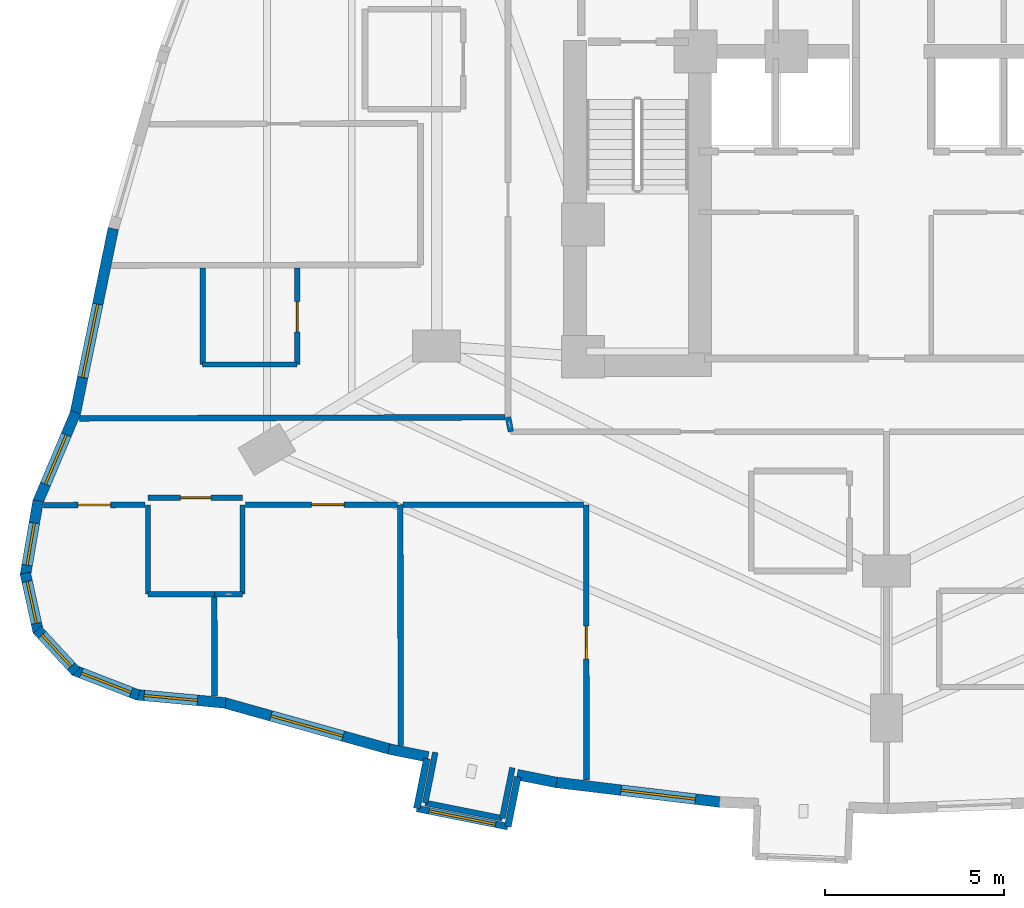
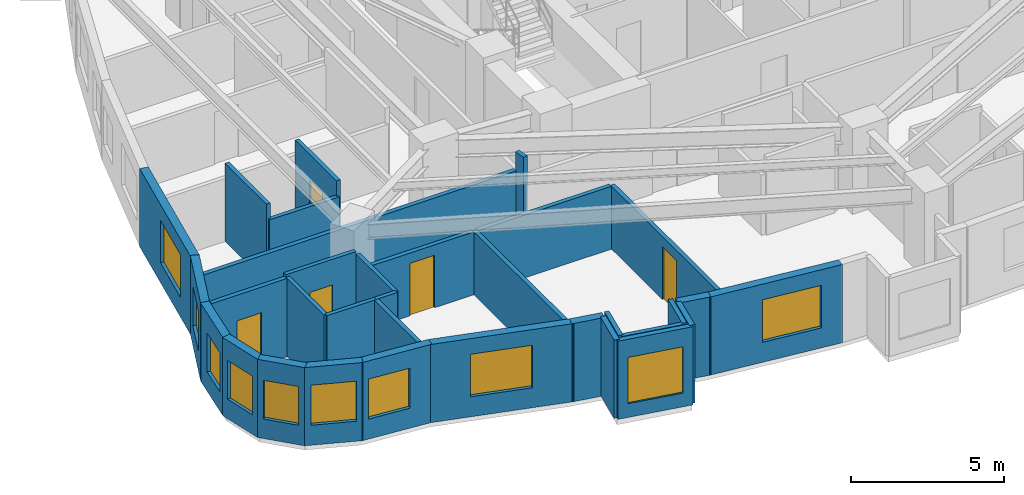
# One storey, part 7 of 14: 33 walls, 10 windows, 5 doors, 15 openings.
"""IFC4 building model written with IfcOpenShell, lengths in metres."""

from ifc_helpers import new_model, si_unit, direction, frame, frame_2d, origin, place, context, subcontext, project, spatial, rectangle, extrude, material, layer, layer_set, type_object, element, fill, save


model = new_model("IFC4")

# Units and contexts
model_context = context("Model", 3, precision=1e-05, world=origin(), true_north=direction((0.0, 1.0)))
body_context = subcontext(model_context, "Body", "Model", "MODEL_VIEW")
ifc_project = project(units=[si_unit("LENGTHUNIT", "METRE"), si_unit("AREAUNIT", "SQUARE_METRE"), si_unit("VOLUMEUNIT", "CUBIC_METRE"), si_unit("PLANEANGLEUNIT", "RADIAN"), si_unit("MASSUNIT", "GRAM", prefix="KILO")], contexts=[model_context])

# Site, building, storey
site_placement = place(None, origin())
site = spatial("IfcSite", under=ifc_project, at=site_placement, CompositionType="ELEMENT")
building_placement = place(site_placement, origin())
building = spatial("IfcBuilding", under=site, at=building_placement, Name="Miruveldt Soraemaru", CompositionType="ELEMENT")
storey_placement = place(building_placement, frame((0.0, 0.0, 80.199951171875)))
storey = spatial("IfcBuildingStorey", under=building, at=storey_placement, Name="L22", CompositionType="ELEMENT", Elevation=80.199951171875)

# Walls
ifc_material_1 = material(Name="White powder-coated aluminium EN AW-6060 T6", Category="aluminium")
ifc_layer_1 = layer(ifc_material_1, 0.18994140625, Name="White powder-coated aluminium EN AW-6060 T6", Category="aluminium")
ifc_layer_set_1 = layer_set([ifc_layer_1], Name="White powder-coated aluminium EN AW-6060 T6")
wall_type_1 = type_object("IfcWallType", Name="WALL-BAY-ALU190", PredefinedType="SOLIDWALL", material=ifc_layer_set_1)
for number, where, z_axis, x_axis, name in (
    (1, (31.123779296875, 24.244384765625, 0.0), (0.0, 0.0, 1.0), (-0.196182033934, -0.980567493629, 0.0), "L22 Bay Window Side Cheek 1L"),
    (2, (33.393798828125, 22.33740234375, 0.0), (0.0, 0.0, 1.0), (0.196017281962, 0.980600441144, 0.0), "L22 Bay Window Side Cheek 1R"),
):
    element("IfcWall", number, at=place(storey_placement, frame(where, z_axis=z_axis, x_axis=x_axis)), inside=storey, type_object=wall_type_1, Name=name, PredefinedType="SOLIDWALL", context=body_context, shape_type="SweptSolid", body=[
        extrude(rectangle(XDim=1.4248046875, YDim=0.18994140625, at=frame_2d((0.71240234375, 0.0))), origin(), (0.0, 0.0, 1.0), 3.125),
    ])

# Wall, opening, window
wall_1_placement = place(storey_placement, frame((30.84423828125, 22.84716796875, 0.0), z_axis=(0.0, 0.0, 1.0), x_axis=(0.980591508741, -0.196061962104, 0.0)))
wall_1 = element("IfcWall", 3, at=wall_1_placement, inside=storey, type_object=wall_type_1, Name="L22 Bay Window Front Frame 1", PredefinedType="SOLIDWALL", context=body_context, shape_type="SweptSolid", body=[
    extrude(rectangle(XDim=2.60009765625, YDim=0.18994140625, at=frame_2d((1.300048828125, 0.0))), origin(), (0.0, 0.0, 1.0), 3.125),
])
opening_1_placement = place(wall_1_placement, frame((0.35009765625, 0.0, 0.550048828125)))
opening_1 = element("IfcOpeningElement", 4, at=opening_1_placement, cuts=wall_1, Name="Opening WN-6", PredefinedType="OPENING", context=body_context, shape_type="SweptSolid", body=[
    extrude(rectangle(XDim=1.89990234375, YDim=1.85009765625, at=frame_2d((0.949951171875, 0.925048828125))), frame((0.0, 0.10498046875, 0.0), z_axis=(0.0, -1.0, 0.0), x_axis=(1.0, 0.0, 0.0)), (0.0, 0.0, 1.0), 0.2099609375),
])
ifc_material_2 = material(Name="Triple low-e insulated glazing", Category="glass")
window_type_1 = type_object("IfcWindowType", Name="WIN-BAYW-1900x1850", PartitioningType="SINGLE_PANEL", PredefinedType="WINDOW", material=ifc_material_2)
window_1_placement = place(opening_1_placement, origin())
window_1 = element("IfcWindow", 5, at=window_1_placement, inside=storey, type_object=window_type_1, Name="L22 Projecting Bay Window 1", OverallHeight=1.85009765625, OverallWidth=1.89990234375, PartitioningType="SINGLE_PANEL", PredefinedType="WINDOW", context=body_context, shape_type="SweptSolid", body=[
    extrude(rectangle(XDim=1.89990234375, YDim=1.85009765625, at=frame_2d((0.949951171875, 0.925048828125))), frame((0.0, 0.030029296875, 0.0), z_axis=(0.0, -1.0, 0.0), x_axis=(1.0, 0.0, 0.0)), (0.0, 0.0, 1.0), 0.06005859375),
])
fill(opening_1, window_1)

ifc_material_3 = material(Name="Precast concrete C45/55 (45 MPa)", Category="concrete")
ifc_layer_2 = layer(ifc_material_3, 0.300048828125, Name="Precast concrete C45/55 (45 MPa)", Category="concrete")
ifc_layer_set_2 = layer_set([ifc_layer_2], Name="Precast concrete C45/55 (45 MPa)")
wall_type_2 = type_object("IfcWallType", Name="WALL-EXT-PC300", PredefinedType="SOLIDWALL", material=ifc_layer_set_2)
wall_2_placement = place(storey_placement, frame((22.34326171875, 39.08984375, 0.0), z_axis=(0.0, 0.0, 1.0), x_axis=(-0.20158951894, -0.979470094415, 0.0)))
wall_2 = element("IfcWall", 6, at=wall_2_placement, inside=storey, type_object=wall_type_2, Name="L22 Precast Concrete Facade Wall 14", PredefinedType="SOLIDWALL", context=body_context, shape_type="SweptSolid", body=[
    extrude(rectangle(XDim=5.323974609375, YDim=0.300048828125, at=frame_2d((2.662109375, 0.0))), origin(), (0.0, 0.0, 1.0), 3.125),
])
opening_2_placement = place(wall_2_placement, frame((2.159912109375, 0.0, 0.800048828125)))
opening_2 = element("IfcOpeningElement", 7, at=opening_2_placement, cuts=wall_2, Name="Opening WN-1", PredefinedType="OPENING", context=body_context, shape_type="SweptSolid", body=[
    extrude(rectangle(XDim=2.10009765625, YDim=1.699951171875, at=frame_2d((1.050048828125, 0.85009765625))), frame((0.0, 0.16015625, 0.0), z_axis=(0.0, -1.0, 0.0), x_axis=(1.0, 0.0, 0.0)), (0.0, 0.0, 1.0), 0.320068359375),
])
window_type_2 = type_object("IfcWindowType", Name="WIN-PUNCH-2100x1700", PartitioningType="SINGLE_PANEL", PredefinedType="WINDOW", material=ifc_material_2)
window_2_placement = place(opening_2_placement, origin())
window_2 = element("IfcWindow", 8, at=window_2_placement, inside=storey, type_object=window_type_2, Name="L22 Punched Triple-Glazed Window 14.1", OverallHeight=1.699951171875, OverallWidth=2.10009765625, PartitioningType="SINGLE_PANEL", PredefinedType="WINDOW", context=body_context, shape_type="SweptSolid", body=[
    extrude(rectangle(XDim=2.10009765625, YDim=1.699951171875, at=frame_2d((1.050048828125, 0.85009765625))), frame((0.0, 0.030029296875, 0.0), z_axis=(0.0, -1.0, 0.0), x_axis=(1.0, 0.0, 0.0)), (0.0, 0.0, 1.0), 0.06005859375),
])
fill(opening_2, window_2)

wall_3_placement = place(storey_placement, frame((21.290771484375, 33.941650390625, 0.0), z_axis=(0.0, 0.0, 1.0), x_axis=(-0.38859128496, -0.921410230708, 0.0)))
wall_3 = element("IfcWall", 9, at=wall_3_placement, inside=storey, type_object=wall_type_2, Name="L22 Precast Concrete Facade Wall 15", PredefinedType="SOLIDWALL", context=body_context, shape_type="SweptSolid", body=[
    extrude(rectangle(XDim=2.757568359375, YDim=0.300048828125, at=frame_2d((1.37890625, 0.0))), origin(), (0.0, 0.0, 1.0), 3.125),
])
opening_3_placement = place(wall_3_placement, frame((0.68310546875, 0.0, 0.800048828125)))
opening_3 = element("IfcOpeningElement", 10, at=opening_3_placement, cuts=wall_3, Name="Opening WN-3", PredefinedType="OPENING", context=body_context, shape_type="SweptSolid", body=[
    extrude(rectangle(XDim=1.5, YDim=1.60009765625, at=frame_2d((0.75, 0.800048828125))), frame((0.0, 0.16015625, 0.0), z_axis=(0.0, -1.0, 0.0), x_axis=(1.0, 0.0, 0.0)), (0.0, 0.0, 1.0), 0.320068359375),
])
window_type_3 = type_object("IfcWindowType", Name="WIN-PUNCH-1500x1600", PartitioningType="SINGLE_PANEL", PredefinedType="WINDOW", material=ifc_material_2)
window_3_placement = place(opening_3_placement, origin())
window_3 = element("IfcWindow", 11, at=window_3_placement, inside=storey, type_object=window_type_3, Name="L22 Punched Triple-Glazed Window 15.1", OverallHeight=1.60009765625, OverallWidth=1.5, PartitioningType="SINGLE_PANEL", PredefinedType="WINDOW", context=body_context, shape_type="SweptSolid", body=[
    extrude(rectangle(XDim=1.5, YDim=1.60009765625, at=frame_2d((0.75, 0.800048828125))), frame((0.0, 0.030029296875, 0.0), z_axis=(0.0, -1.0, 0.0), x_axis=(1.0, 0.0, 0.0)), (0.0, 0.0, 1.0), 0.06005859375),
])
fill(opening_3, window_3)

wall_4_placement = place(storey_placement, frame((20.23876953125, 31.4677734375, 0.0), z_axis=(0.0, 0.0, 1.0), x_axis=(-0.169387729848, -0.985549489867, 0.0)))
wall_4 = element("IfcWall", 12, at=wall_4_placement, inside=storey, type_object=wall_type_2, Name="L22 Precast Concrete Facade Wall 16", PredefinedType="SOLIDWALL", context=body_context, shape_type="SweptSolid", body=[
    extrude(rectangle(XDim=2.1259765625, YDim=0.300048828125, at=frame_2d((1.06298828125, 0.0))), origin(), (0.0, 0.0, 1.0), 3.125),
])
opening_4_placement = place(wall_4_placement, frame((0.634033203125, 0.0, 0.780029296875)))
opening_4 = element("IfcOpeningElement", 13, at=opening_4_placement, cuts=wall_4, Name="Opening WN-4", PredefinedType="OPENING", context=body_context, shape_type="SweptSolid", body=[
    extrude(rectangle(XDim=1.199951171875, YDim=1.550048828125, at=frame_2d((0.60009765625, 0.77490234375))), frame((0.0, 0.16015625, 0.0), z_axis=(0.0, -1.0, 0.0), x_axis=(1.0, 0.0, 0.0)), (0.0, 0.0, 1.0), 0.320068359375),
])
window_type_4 = type_object("IfcWindowType", Name="WIN-PUNCH-1200x1550", PartitioningType="SINGLE_PANEL", PredefinedType="WINDOW", material=ifc_material_2)
window_4_placement = place(opening_4_placement, origin())
window_4 = element("IfcWindow", 14, at=window_4_placement, inside=storey, type_object=window_type_4, Name="L22 Punched Triple-Glazed Window 16.1", OverallHeight=1.550048828125, OverallWidth=1.199951171875, PartitioningType="SINGLE_PANEL", PredefinedType="WINDOW", context=body_context, shape_type="SweptSolid", body=[
    extrude(rectangle(XDim=1.199951171875, YDim=1.550048828125, at=frame_2d((0.60009765625, 0.77490234375))), frame((0.0, 0.030029296875, 0.0), z_axis=(0.0, -1.0, 0.0), x_axis=(1.0, 0.0, 0.0)), (0.0, 0.0, 1.0), 0.06005859375),
])
fill(opening_4, window_4)

wall_5_placement = place(storey_placement, frame((19.876953125, 29.44140625, 0.0), z_axis=(0.0, 0.0, 1.0), x_axis=(0.215871143304, -0.976421860411, 0.0)))
wall_5 = element("IfcWall", 15, at=wall_5_placement, inside=storey, type_object=wall_type_2, Name="L22 Precast Concrete Facade Wall 17", PredefinedType="SOLIDWALL", context=body_context, shape_type="SweptSolid", body=[
    extrude(rectangle(XDim=1.68408203125, YDim=0.300048828125, at=frame_2d((0.842041015625, 0.0))), origin(), (0.0, 0.0, 1.0), 3.125),
])
opening_5_placement = place(wall_5_placement, frame((0.241943359375, 0.0, 0.780029296875)))
opening_5 = element("IfcOpeningElement", 16, at=opening_5_placement, cuts=wall_5, Name="Opening WN-4", PredefinedType="OPENING", context=body_context, shape_type="SweptSolid", body=[
    extrude(rectangle(XDim=1.199951171875, YDim=1.550048828125, at=frame_2d((0.60009765625, 0.77490234375))), frame((0.0, 0.16015625, 0.0), z_axis=(0.0, -1.0, 0.0), x_axis=(1.0, 0.0, 0.0)), (0.0, 0.0, 1.0), 0.320068359375),
])
window_5_placement = place(opening_5_placement, origin())
window_5 = element("IfcWindow", 17, at=window_5_placement, inside=storey, type_object=window_type_4, Name="L22 Punched Triple-Glazed Window 17.1", OverallHeight=1.550048828125, OverallWidth=1.199951171875, PartitioningType="SINGLE_PANEL", PredefinedType="WINDOW", context=body_context, shape_type="SweptSolid", body=[
    extrude(rectangle(XDim=1.199951171875, YDim=1.550048828125, at=frame_2d((0.60009765625, 0.77490234375))), frame((0.0, 0.030029296875, 0.0), z_axis=(0.0, -1.0, 0.0), x_axis=(1.0, 0.0, 0.0)), (0.0, 0.0, 1.0), 0.06005859375),
])
fill(opening_5, window_5)

wall_6_placement = place(storey_placement, frame((20.208984375, 27.85693359375, 0.0), z_axis=(0.0, 0.0, 1.0), x_axis=(0.680153593671, -0.733069634493, 0.0)))
wall_6 = element("IfcWall", 18, at=wall_6_placement, inside=storey, type_object=wall_type_2, Name="L22 Precast Concrete Facade Wall 18", PredefinedType="SOLIDWALL", context=body_context, shape_type="SweptSolid", body=[
    extrude(rectangle(XDim=1.60546875, YDim=0.300048828125, at=frame_2d((0.802734375, 0.0))), origin(), (0.0, 0.0, 1.0), 3.125),
])
opening_6_placement = place(wall_6_placement, frame((0.202880859375, 0.0, 0.780029296875)))
opening_6 = element("IfcOpeningElement", 19, at=opening_6_placement, cuts=wall_6, Name="Opening WN-4", PredefinedType="OPENING", context=body_context, shape_type="SweptSolid", body=[
    extrude(rectangle(XDim=1.199951171875, YDim=1.550048828125, at=frame_2d((0.60009765625, 0.77490234375))), frame((0.0, 0.16015625, 0.0), z_axis=(0.0, -1.0, 0.0), x_axis=(1.0, 0.0, 0.0)), (0.0, 0.0, 1.0), 0.320068359375),
])
window_6_placement = place(opening_6_placement, origin())
window_6 = element("IfcWindow", 20, at=window_6_placement, inside=storey, type_object=window_type_4, Name="L22 Punched Triple-Glazed Window 18.1", OverallHeight=1.550048828125, OverallWidth=1.199951171875, PartitioningType="SINGLE_PANEL", PredefinedType="WINDOW", context=body_context, shape_type="SweptSolid", body=[
    extrude(rectangle(XDim=1.199951171875, YDim=1.550048828125, at=frame_2d((0.60009765625, 0.77490234375))), frame((0.0, 0.030029296875, 0.0), z_axis=(0.0, -1.0, 0.0), x_axis=(1.0, 0.0, 0.0)), (0.0, 0.0, 1.0), 0.06005859375),
])
fill(opening_6, window_6)

wall_7_placement = place(storey_placement, frame((21.24462890625, 26.718505859375, 0.0), z_axis=(0.0, 0.0, 1.0), x_axis=(0.932226848531, -0.36187442971, 0.0)))
wall_7 = element("IfcWall", 21, at=wall_7_placement, inside=storey, type_object=wall_type_2, Name="L22 Precast Concrete Facade Wall 19", PredefinedType="SOLIDWALL", context=body_context, shape_type="SweptSolid", body=[
    extrude(rectangle(XDim=1.93701171875, YDim=0.300048828125, at=frame_2d((0.968505859375, 0.0))), origin(), (0.0, 0.0, 1.0), 3.125),
])
opening_7_placement = place(wall_7_placement, frame((0.218017578125, 0.0, 0.800048828125)))
opening_7 = element("IfcOpeningElement", 22, at=opening_7_placement, cuts=wall_7, Name="Opening WN-3", PredefinedType="OPENING", context=body_context, shape_type="SweptSolid", body=[
    extrude(rectangle(XDim=1.5, YDim=1.60009765625, at=frame_2d((0.75, 0.800048828125))), frame((0.0, 0.16015625, 0.0), z_axis=(0.0, -1.0, 0.0), x_axis=(1.0, 0.0, 0.0)), (0.0, 0.0, 1.0), 0.320068359375),
])
window_7_placement = place(opening_7_placement, origin())
window_7 = element("IfcWindow", 23, at=window_7_placement, inside=storey, type_object=window_type_3, Name="L22 Punched Triple-Glazed Window 19.1", OverallHeight=1.60009765625, OverallWidth=1.5, PartitioningType="SINGLE_PANEL", PredefinedType="WINDOW", context=body_context, shape_type="SweptSolid", body=[
    extrude(rectangle(XDim=1.5, YDim=1.60009765625, at=frame_2d((0.75, 0.800048828125))), frame((0.0, 0.030029296875, 0.0), z_axis=(0.0, -1.0, 0.0), x_axis=(1.0, 0.0, 0.0)), (0.0, 0.0, 1.0), 0.06005859375),
])
fill(opening_7, window_7)

wall_8_placement = place(storey_placement, frame((22.98291015625, 26.03369140625, 0.0), z_axis=(0.0, 0.0, 1.0), x_axis=(0.995756157786, -0.092030833048, 0.0)))
wall_8 = element("IfcWall", 24, at=wall_8_placement, inside=storey, type_object=wall_type_2, Name="L22 Precast Concrete Facade Wall 20", PredefinedType="SOLIDWALL", context=body_context, shape_type="SweptSolid", body=[
    extrude(rectangle(XDim=2.517578125, YDim=0.300048828125, at=frame_2d((1.2587890625, 0.0))), origin(), (0.0, 0.0, 1.0), 3.125),
])
opening_8_placement = place(wall_8_placement, frame((0.22607421875, 0.0, 0.800048828125)))
opening_8 = element("IfcOpeningElement", 25, at=opening_8_placement, cuts=wall_8, Name="Opening WN-3", PredefinedType="OPENING", context=body_context, shape_type="SweptSolid", body=[
    extrude(rectangle(XDim=1.5, YDim=1.60009765625, at=frame_2d((0.75, 0.800048828125))), frame((0.0, 0.16015625, 0.0), z_axis=(0.0, -1.0, 0.0), x_axis=(1.0, 0.0, 0.0)), (0.0, 0.0, 1.0), 0.320068359375),
])
window_8_placement = place(opening_8_placement, origin())
window_8 = element("IfcWindow", 26, at=window_8_placement, inside=storey, type_object=window_type_3, Name="L22 Punched Triple-Glazed Window 20.1", OverallHeight=1.60009765625, OverallWidth=1.5, PartitioningType="SINGLE_PANEL", PredefinedType="WINDOW", context=body_context, shape_type="SweptSolid", body=[
    extrude(rectangle(XDim=1.5, YDim=1.60009765625, at=frame_2d((0.75, 0.800048828125))), frame((0.0, 0.030029296875, 0.0), z_axis=(0.0, -1.0, 0.0), x_axis=(1.0, 0.0, 0.0)), (0.0, 0.0, 1.0), 0.06005859375),
])
fill(opening_8, window_8)

wall_9_placement = place(storey_placement, frame((25.421142578125, 25.814697265625, 0.0), z_axis=(0.0, 0.0, 1.0), x_axis=(0.962970248778, -0.269607677873, 0.0)))
wall_9 = element("IfcWall", 27, at=wall_9_placement, inside=storey, type_object=wall_type_2, Name="L22 Precast Concrete Facade Wall 21", PredefinedType="SOLIDWALL", context=body_context, shape_type="SweptSolid", body=[
    extrude(rectangle(XDim=4.884521484375, YDim=0.300048828125, at=frame_2d((2.4423828125, 0.0))), origin(), (0.0, 0.0, 1.0), 3.125),
])
opening_9_placement = place(wall_9_placement, frame((1.387939453125, 0.0, 0.800048828125)))
opening_9 = element("IfcOpeningElement", 28, at=opening_9_placement, cuts=wall_9, Name="Opening WN-1", PredefinedType="OPENING", context=body_context, shape_type="SweptSolid", body=[
    extrude(rectangle(XDim=2.10009765625, YDim=1.699951171875, at=frame_2d((1.050048828125, 0.85009765625))), frame((0.0, 0.16015625, 0.0), z_axis=(0.0, -1.0, 0.0), x_axis=(1.0, 0.0, 0.0)), (0.0, 0.0, 1.0), 0.320068359375),
])
window_9_placement = place(opening_9_placement, origin())
window_9 = element("IfcWindow", 29, at=window_9_placement, inside=storey, type_object=window_type_2, Name="L22 Punched Triple-Glazed Window 21.1", OverallHeight=1.699951171875, OverallWidth=2.10009765625, PartitioningType="SINGLE_PANEL", PredefinedType="WINDOW", context=body_context, shape_type="SweptSolid", body=[
    extrude(rectangle(XDim=2.10009765625, YDim=1.699951171875, at=frame_2d((1.050048828125, 0.85009765625))), frame((0.0, 0.030029296875, 0.0), z_axis=(0.0, -1.0, 0.0), x_axis=(1.0, 0.0, 0.0)), (0.0, 0.0, 1.0), 0.06005859375),
])
fill(opening_9, window_9)

# Walls
wall_10_placement = place(storey_placement, frame((30.056884765625, 24.513916015625, 0.0), z_axis=(0.0, 0.0, 1.0), x_axis=(0.980572356697, -0.196157725524, 0.0)))
element("IfcWall", 30, at=wall_10_placement, inside=storey, type_object=wall_type_2, Name="L22 Precast Pier Wall 22A", PredefinedType="SOLIDWALL", context=body_context, shape_type="SweptSolid", body=[
    extrude(rectangle(XDim=1.12890625, YDim=0.300048828125, at=frame_2d((0.564453125, 0.0))), origin(), (0.0, 0.0, 1.0), 3.125),
])
wall_11_placement = place(storey_placement, frame((33.654541015625, 23.79443359375, 0.0), z_axis=(0.0, 0.0, 1.0), x_axis=(0.980580675691, -0.196116135138, 0.0)))
element("IfcWall", 31, at=wall_11_placement, inside=storey, type_object=wall_type_2, Name="L22 Precast Pier Wall 22B", PredefinedType="SOLIDWALL", context=body_context, shape_type="SweptSolid", body=[
    extrude(rectangle(XDim=1.129150390625, YDim=0.300048828125, at=frame_2d((0.564453125, 0.0))), origin(), (0.0, 0.0, 1.0), 3.125),
])

# Wall, opening, window
wall_12_placement = place(storey_placement, frame((34.692626953125, 23.583984375, 0.0), z_axis=(0.0, 0.0, 1.0), x_axis=(0.992876838487, -0.119145220618, 0.0)))
wall_12 = element("IfcWall", 32, at=wall_12_placement, inside=storey, type_object=wall_type_2, Name="L22 Precast Concrete Facade Wall 23", PredefinedType="SOLIDWALL", context=body_context, shape_type="SweptSolid", body=[
    extrude(rectangle(XDim=4.739501953125, YDim=0.300048828125, at=frame_2d((2.36962890625, 0.0))), origin(), (0.0, 0.0, 1.0), 3.125),
])
opening_10_placement = place(wall_12_placement, frame((1.885986328125, 0.0, 0.800048828125)))
opening_10 = element("IfcOpeningElement", 33, at=opening_10_placement, cuts=wall_12, Name="Opening WN-1", PredefinedType="OPENING", context=body_context, shape_type="SweptSolid", body=[
    extrude(rectangle(XDim=2.10009765625, YDim=1.699951171875, at=frame_2d((1.050048828125, 0.85009765625))), frame((0.0, 0.16015625, 0.0), z_axis=(0.0, -1.0, 0.0), x_axis=(1.0, 0.0, 0.0)), (0.0, 0.0, 1.0), 0.320068359375),
])
window_10_placement = place(opening_10_placement, origin())
window_10 = element("IfcWindow", 34, at=window_10_placement, inside=storey, type_object=window_type_2, Name="L22 Punched Triple-Glazed Window 23.1", OverallHeight=1.699951171875, OverallWidth=2.10009765625, PartitioningType="SINGLE_PANEL", PredefinedType="WINDOW", context=body_context, shape_type="SweptSolid", body=[
    extrude(rectangle(XDim=2.10009765625, YDim=1.699951171875, at=frame_2d((1.050048828125, 0.85009765625))), frame((0.0, 0.030029296875, 0.0), z_axis=(0.0, -1.0, 0.0), x_axis=(1.0, 0.0, 0.0)), (0.0, 0.0, 1.0), 0.06005859375),
])
fill(opening_10, window_10)

# Wall, opening, door
ifc_material_4 = material(Name="Gypsum plasterboard lining", Category="gypsum")
ifc_layer_3 = layer(ifc_material_4, 0.14990234375, Name="Gypsum plasterboard lining", Category="gypsum")
ifc_layer_set_3 = layer_set([ifc_layer_3], Name="Gypsum plasterboard lining")
wall_type_3 = type_object("IfcWallType", Name="WALL-INT-PLUMB", PredefinedType="PLUMBINGWALL", material=ifc_layer_set_3)
wall_13_placement = place(storey_placement, frame((27.4951171875, 35.283935546875, 0.0), z_axis=(0.0, 0.0, 1.0), x_axis=(0.0, 1.0, 0.0)))
wall_13 = element("IfcWall", 35, at=wall_13_placement, inside=storey, type_object=wall_type_3, Name="L22 Partition Wall 68", PredefinedType="PLUMBINGWALL", context=body_context, shape_type="SweptSolid", body=[
    extrude(rectangle(XDim=2.699951171875, YDim=0.14990234375, at=frame_2d((1.35009765625, 0.0))), origin(), (0.0, 0.0, 1.0), 3.125),
])
opening_11_placement = place(wall_13_placement, frame((0.909912109375, 0.0, 0.0)))
opening_11 = element("IfcOpeningElement", 36, at=opening_11_placement, cuts=wall_13, Name="Opening FD3", PredefinedType="OPENING", context=body_context, shape_type="SweptSolid", body=[
    extrude(rectangle(XDim=0.85009765625, YDim=2.10009765625, at=frame_2d((0.425048828125, 1.050048828125))), frame((0.0, 0.0849609375, 0.0), z_axis=(0.0, -1.0, 0.0), x_axis=(1.0, 0.0, 0.0)), (0.0, 0.0, 1.0), 0.169921875),
])
ifc_material_5 = material(Name="Anodised aluminium EN AW-6063 T6", Category="aluminium")
door_type_1 = type_object("IfcDoorType", Name="DOOR-FD3-850", OperationType="NOTDEFINED", PredefinedType="DOOR", material=ifc_material_5)
door_1_placement = place(opening_11_placement, origin())
door_1 = element("IfcDoor", 37, at=door_1_placement, inside=storey, type_object=door_type_1, Name="L22 Unit 2206 BTH Door", OperationType="SINGLE_SWING_LEFT", OverallHeight=2.10009765625, OverallWidth=0.85009765625, PredefinedType="DOOR", context=body_context, shape_type="SweptSolid", body=[
    extrude(rectangle(XDim=0.85009765625, YDim=2.10009765625, at=frame_2d((0.425048828125, 1.050048828125))), frame((0.0, 0.02490234375, 0.0), z_axis=(0.0, -1.0, 0.0), x_axis=(1.0, 0.0, 0.0)), (0.0, 0.0, 1.0), 0.050048828125),
])
fill(opening_11, door_1)

wall_14_placement = place(storey_placement, frame((25.964111328125, 31.550048828125, 0.0), z_axis=(0.0, 0.0, 1.0), x_axis=(-1.0, 0.0, 0.0)))
wall_14 = element("IfcWall", 38, at=wall_14_placement, inside=storey, type_object=wall_type_3, Name="L22 Partition Wall 51", PredefinedType="PLUMBINGWALL", context=body_context, shape_type="SweptSolid", body=[
    extrude(rectangle(XDim=2.650146484375, YDim=0.14990234375, at=frame_2d((1.3251953125, 0.0))), origin(), (0.0, 0.0, 1.0), 3.125),
])
opening_12_placement = place(wall_14_placement, frame((0.885009765625, 0.0, 0.0)))
opening_12 = element("IfcOpeningElement", 39, at=opening_12_placement, cuts=wall_14, Name="Opening FD3", PredefinedType="OPENING", context=body_context, shape_type="SweptSolid", body=[
    extrude(rectangle(XDim=0.85009765625, YDim=2.10009765625, at=frame_2d((0.425048828125, 1.050048828125))), frame((0.0, 0.0849609375, 0.0), z_axis=(0.0, -1.0, 0.0), x_axis=(1.0, 0.0, 0.0)), (0.0, 0.0, 1.0), 0.169921875),
])
door_2_placement = place(opening_12_placement, origin())
door_2 = element("IfcDoor", 40, at=door_2_placement, inside=storey, type_object=door_type_1, Name="L22 Unit 2205 BTH Door", OperationType="SINGLE_SWING_LEFT", OverallHeight=2.10009765625, OverallWidth=0.85009765625, PredefinedType="DOOR", context=body_context, shape_type="SweptSolid", body=[
    extrude(rectangle(XDim=0.85009765625, YDim=2.10009765625, at=frame_2d((0.425048828125, 1.050048828125))), frame((0.0, 0.02490234375, 0.0), z_axis=(0.0, -1.0, 0.0), x_axis=(1.0, 0.0, 0.0)), (0.0, 0.0, 1.0), 0.050048828125),
])
fill(opening_12, door_2)

# Walls
wall_15_placement = place(storey_placement, frame((24.844970703125, 37.98388671875, 0.0), z_axis=(0.0, 0.0, 1.0), x_axis=(0.0, -1.0, 0.0)))
element("IfcWall", 41, at=wall_15_placement, inside=storey, type_object=wall_type_3, Name="L22 Partition Wall 69", PredefinedType="PLUMBINGWALL", context=body_context, shape_type="SweptSolid", body=[
    extrude(rectangle(XDim=2.699951171875, YDim=0.14990234375, at=frame_2d((1.35009765625, 0.0))), origin(), (0.0, 0.0, 1.0), 3.125),
])
wall_16_placement = place(storey_placement, frame((24.844970703125, 35.283935546875, 0.0), z_axis=(0.0, 0.0, 1.0), x_axis=(1.0, 0.0, 0.0)))
element("IfcWall", 42, at=wall_16_placement, inside=storey, type_object=wall_type_3, Name="L22 Partition Wall 70", PredefinedType="PLUMBINGWALL", context=body_context, shape_type="SweptSolid", body=[
    extrude(rectangle(XDim=2.650146484375, YDim=0.14990234375, at=frame_2d((1.3251953125, 0.0))), origin(), (0.0, 0.0, 1.0), 2.512939453125),
])
for number, where, z_axis, x_axis, name in (
    (43, (23.31396484375, 31.35400390625, 0.0), (0.0, 0.0, 1.0), (0.0, -1.0, 0.0), "L22 Partition Wall 62"),
    (44, (25.964111328125, 28.85009765625, 0.0), (0.0, 0.0, 1.0), (0.0, 1.0, 0.0), "L22 Partition Wall 65"),
):
    element("IfcWall", number, at=place(storey_placement, frame(where, z_axis=z_axis, x_axis=x_axis)), inside=storey, type_object=wall_type_3, Name=name, PredefinedType="PLUMBINGWALL", context=body_context, shape_type="SweptSolid", body=[
        extrude(rectangle(XDim=2.50390625, YDim=0.14990234375, at=frame_2d((1.251953125, 0.0))), origin(), (0.0, 0.0, 1.0), 3.125),
    ])
wall_17_placement = place(storey_placement, frame((23.31396484375, 28.85009765625, 0.0), z_axis=(0.0, 0.0, 1.0), x_axis=(1.0, 0.0, 0.0)))
element("IfcWall", 45, at=wall_17_placement, inside=storey, type_object=wall_type_3, Name="L22 Partition Wall 63", PredefinedType="PLUMBINGWALL", context=body_context, shape_type="SweptSolid", body=[
    extrude(rectangle(XDim=1.859130859375, YDim=0.14990234375, at=frame_2d((0.9296875, 0.0))), origin(), (0.0, 0.0, 1.0), 3.125),
])
wall_18_placement = place(storey_placement, frame((25.173095703125, 28.85009765625, 0.0), z_axis=(0.0, 0.0, 1.0), x_axis=(1.0, 0.0, 0.0)))
element("IfcWall", 46, at=wall_18_placement, inside=storey, type_object=wall_type_3, Name="L22 Partition Wall 64", PredefinedType="PLUMBINGWALL", context=body_context, shape_type="SweptSolid", body=[
    extrude(rectangle(XDim=0.791015625, YDim=0.14990234375, at=frame_2d((0.3955078125, 0.0))), origin(), (0.0, 0.0, 1.0), 3.125),
])

# Wall, opening, door
ifc_material_6 = material(Name="Concrete C40/50 (40 MPa)", Category="concrete")
ifc_layer_4 = layer(ifc_material_6, 0.159912109375, Name="Concrete C40/50 (40 MPa)", Category="concrete")
ifc_layer_set_4 = layer_set([ifc_layer_4], Name="Concrete C40/50 (40 MPa)")
wall_type_4 = type_object("IfcWallType", Name="WALL-INT-RC160", PredefinedType="SOLIDWALL", material=ifc_layer_set_4)
wall_19_placement = place(storey_placement, frame((35.587890625, 31.35400390625, 0.0), z_axis=(0.0, 0.0, 1.0), x_axis=(0.001297960158, -0.999999157649, 0.0)))
wall_19 = element("IfcWall", 47, at=wall_19_placement, inside=storey, type_object=wall_type_4, Name="L22 Partition Wall 59", PredefinedType="SOLIDWALL", context=body_context, shape_type="SweptSolid", body=[
    extrude(rectangle(XDim=7.7119140625, YDim=0.159912109375, at=frame_2d((3.85595703125, 0.0))), origin(), (0.0, 0.0, 1.0), 2.512939453125),
])
opening_13_placement = place(wall_19_placement, frame((3.39599609375, 0.0, 0.0)))
opening_13 = element("IfcOpeningElement", 48, at=opening_13_placement, cuts=wall_19, Name="Opening D3A", PredefinedType="OPENING", context=body_context, shape_type="SweptSolid", body=[
    extrude(rectangle(XDim=0.919921875, YDim=2.10009765625, at=frame_2d((0.4599609375, 1.050048828125))), frame((0.0, 0.08984375, 0.0), z_axis=(0.0, -1.0, 0.0), x_axis=(1.0, 0.0, 0.0)), (0.0, 0.0, 1.0), 0.179931640625),
])
door_type_2 = type_object("IfcDoorType", Name="DOOR-INT-920", OperationType="NOTDEFINED", PredefinedType="DOOR", material=ifc_material_5)
door_3_placement = place(opening_13_placement, origin())
door_3 = element("IfcDoor", 49, at=door_3_placement, inside=storey, type_object=door_type_2, Name="L22 Unit 2205 BD3 Door", OperationType="SINGLE_SWING_LEFT", OverallHeight=2.10009765625, OverallWidth=0.919921875, PredefinedType="DOOR", context=body_context, shape_type="SweptSolid", body=[
    extrude(rectangle(XDim=0.919921875, YDim=2.10009765625, at=frame_2d((0.4599609375, 1.050048828125))), frame((0.0, 0.02490234375, 0.0), z_axis=(0.0, -1.0, 0.0), x_axis=(1.0, 0.0, 0.0)), (0.0, 0.0, 1.0), 0.050048828125),
])
fill(opening_13, door_3)

wall_20_placement = place(storey_placement, frame((26.0439453125, 31.35400390625, 0.0), z_axis=(0.0, 0.0, 1.0), x_axis=(1.0, 0.0, 0.0)))
wall_20 = element("IfcWall", 50, at=wall_20_placement, inside=storey, type_object=wall_type_4, Name="L22 Partition Wall 57", PredefinedType="SOLIDWALL", context=body_context, shape_type="SweptSolid", body=[
    extrude(rectangle(XDim=4.257080078125, YDim=0.159912109375, at=frame_2d((2.12841796875, 0.0))), origin(), (0.0, 0.0, 1.0), 2.512939453125),
])
opening_14_placement = place(wall_20_placement, frame((1.847900390625, 0.0, 0.0)))
opening_14 = element("IfcOpeningElement", 51, at=opening_14_placement, cuts=wall_20, Name="Opening D3A", PredefinedType="OPENING", context=body_context, shape_type="SweptSolid", body=[
    extrude(rectangle(XDim=0.919921875, YDim=2.10009765625, at=frame_2d((0.4599609375, 1.050048828125))), frame((0.0, 0.08984375, 0.0), z_axis=(0.0, -1.0, 0.0), x_axis=(1.0, 0.0, 0.0)), (0.0, 0.0, 1.0), 0.179931640625),
])
door_4_placement = place(opening_14_placement, origin())
door_4 = element("IfcDoor", 52, at=door_4_placement, inside=storey, type_object=door_type_2, Name="L22 Unit 2205 BD2 Door", OperationType="SINGLE_SWING_RIGHT", OverallHeight=2.10009765625, OverallWidth=0.919921875, PredefinedType="DOOR", context=body_context, shape_type="SweptSolid", body=[
    extrude(rectangle(XDim=0.919921875, YDim=2.10009765625, at=frame_2d((0.4599609375, 1.050048828125))), frame((0.0, 0.02490234375, 0.0), z_axis=(0.0, -1.0, 0.0), x_axis=(1.0, 0.0, 0.0)), (0.0, 0.0, 1.0), 0.050048828125),
])
fill(opening_14, door_4)

wall_21_placement = place(storey_placement, frame((20.384033203125, 31.340087890625, 0.0), z_axis=(0.0, 0.0, 1.0), x_axis=(0.999988078059, 0.004883005264, 0.0)))
wall_21 = element("IfcWall", 53, at=wall_21_placement, inside=storey, type_object=wall_type_4, Name="L22 Partition Wall 56", PredefinedType="SOLIDWALL", context=body_context, shape_type="SweptSolid", body=[
    extrude(rectangle(XDim=2.849853515625, YDim=0.159912109375, at=frame_2d((1.4248046875, 0.0))), origin(), (0.0, 0.0, 1.0), 3.125),
])
opening_15_placement = place(wall_21_placement, frame((0.965087890625, 0.0, 0.0)))
opening_15 = element("IfcOpeningElement", 54, at=opening_15_placement, cuts=wall_21, Name="Opening D3A", PredefinedType="OPENING", context=body_context, shape_type="SweptSolid", body=[
    extrude(rectangle(XDim=0.919921875, YDim=2.10009765625, at=frame_2d((0.4599609375, 1.050048828125))), frame((0.0, 0.08984375, 0.0), z_axis=(0.0, -1.0, 0.0), x_axis=(1.0, 0.0, 0.0)), (0.0, 0.0, 1.0), 0.179931640625),
])
door_5_placement = place(opening_15_placement, origin())
door_5 = element("IfcDoor", 55, at=door_5_placement, inside=storey, type_object=door_type_2, Name="L22 Unit 2205 BD1 Door", OperationType="SINGLE_SWING_LEFT", OverallHeight=2.10009765625, OverallWidth=0.919921875, PredefinedType="DOOR", context=body_context, shape_type="SweptSolid", body=[
    extrude(rectangle(XDim=0.919921875, YDim=2.10009765625, at=frame_2d((0.4599609375, 1.050048828125))), frame((0.0, 0.02490234375, 0.0), z_axis=(0.0, -1.0, 0.0), x_axis=(1.0, 0.0, 0.0)), (0.0, 0.0, 1.0), 0.050048828125),
])
fill(opening_15, door_5)

# Walls
wall_22_placement = place(storey_placement, frame((33.31689453125, 33.803955078125, 0.0), z_axis=(0.0, 0.0, 1.0), x_axis=(-0.999996399899, -0.002683316845, 0.0)))
element("IfcWall", 56, at=wall_22_placement, inside=storey, type_object=wall_type_4, Name="L22 Partition Wall 60", PredefinedType="SOLIDWALL", context=body_context, shape_type="SweptSolid", body=[
    extrude(rectangle(XDim=11.9189453125, YDim=0.159912109375, at=frame_2d((5.95947265625, 0.0))), origin(), (0.0, 0.0, 1.0), 2.4130859375),
])
wall_23_placement = place(storey_placement, frame((30.39794921875, 24.614013671875, 0.0), z_axis=(0.0, 0.0, 1.0), x_axis=(-0.002499358296, 0.999996876599, 0.0)))
element("IfcWall", 57, at=wall_23_placement, inside=storey, type_object=wall_type_4, Name="L22 Partition Wall 67", PredefinedType="SOLIDWALL", context=body_context, shape_type="SweptSolid", body=[
    extrude(rectangle(XDim=6.739990234375, YDim=0.159912109375, at=frame_2d((3.3701171875, 0.0))), origin(), (0.0, 0.0, 1.0), 2.512939453125),
])
wall_24_placement = place(storey_placement, frame((30.4609375, 31.35400390625, 0.0), z_axis=(0.0, 0.0, 1.0), x_axis=(1.0, 0.0, 0.0)))
element("IfcWall", 58, at=wall_24_placement, inside=storey, type_object=wall_type_4, Name="L22 Partition Wall 58", PredefinedType="SOLIDWALL", context=body_context, shape_type="SweptSolid", body=[
    extrude(rectangle(XDim=5.047119140625, YDim=0.159912109375, at=frame_2d((2.5234375, 0.0))), origin(), (0.0, 0.0, 1.0), 2.512939453125),
])
wall_25_placement = place(storey_placement, frame((25.180908203125, 25.99609375, 0.0), z_axis=(0.0, 0.0, 1.0), x_axis=(-0.002737372122, 0.99999625339, 0.0)))
element("IfcWall", 59, at=wall_25_placement, inside=storey, type_object=wall_type_4, Name="L22 Partition Wall 66", PredefinedType="SOLIDWALL", context=body_context, shape_type="SweptSolid", body=[
    extrude(rectangle(XDim=2.85400390625, YDim=0.159912109375, at=frame_2d((1.427001953125, 0.0))), origin(), (0.0, 0.0, 1.0), 3.125),
])
wall_26_placement = place(storey_placement, frame((33.237060546875, 22.572998046875, 0.0), z_axis=(0.0, 0.0, 1.0), x_axis=(-0.980623342083, 0.195902682374, 0.0)))
element("IfcWall", 60, at=wall_26_placement, inside=storey, type_object=wall_type_4, Name="L22 Partition Wall 96", PredefinedType="SOLIDWALL", context=body_context, shape_type="SweptSolid", body=[
    extrude(rectangle(XDim=2.19970703125, YDim=0.159912109375, at=frame_2d((1.099853515625, 0.0))), origin(), (0.0, 0.0, 1.0), 3.125),
])
wall_27_placement = place(storey_placement, frame((31.080078125, 23.00390625, 0.0), z_axis=(0.0, 0.0, 1.0), x_axis=(0.195823697056, 0.980639117959, 0.0)))
element("IfcWall", 61, at=wall_27_placement, inside=storey, type_object=wall_type_4, Name="L22 Partition Wall 97", PredefinedType="SOLIDWALL", context=body_context, shape_type="SweptSolid", body=[
    extrude(rectangle(XDim=1.445068359375, YDim=0.159912109375, at=frame_2d((0.72265625, 0.0))), origin(), (0.0, 0.0, 1.0), 3.125),
])
wall_28_placement = place(storey_placement, frame((33.52099609375, 23.989013671875, 0.0), z_axis=(0.0, 0.0, 1.0), x_axis=(-0.19660375165, -0.980483026287, 0.0)))
element("IfcWall", 62, at=wall_28_placement, inside=storey, type_object=wall_type_4, Name="L22 Partition Wall 98", PredefinedType="SOLIDWALL", context=body_context, shape_type="SweptSolid", body=[
    extrude(rectangle(XDim=1.444091796875, YDim=0.159912109375, at=frame_2d((0.72216796875, 0.0))), origin(), (0.0, 0.0, 1.0), 3.125),
])
wall_29_placement = place(storey_placement, frame((33.47998046875, 33.39990234375, 0.0), z_axis=(0.0, 0.0, 1.0), x_axis=(-0.193059018518, 0.981187145946, 0.0)))
element("IfcWall", 63, at=wall_29_placement, inside=storey, type_object=wall_type_4, Name="L22 Partition Closure Return 1", PredefinedType="SOLIDWALL", context=body_context, shape_type="SweptSolid", body=[
    extrude(rectangle(XDim=0.414794921875, YDim=0.159912109375, at=frame_2d((0.20751953125, 0.0))), origin(), (0.0, 0.0, 1.0), 3.125),
])

save(model, "model.ifc")
